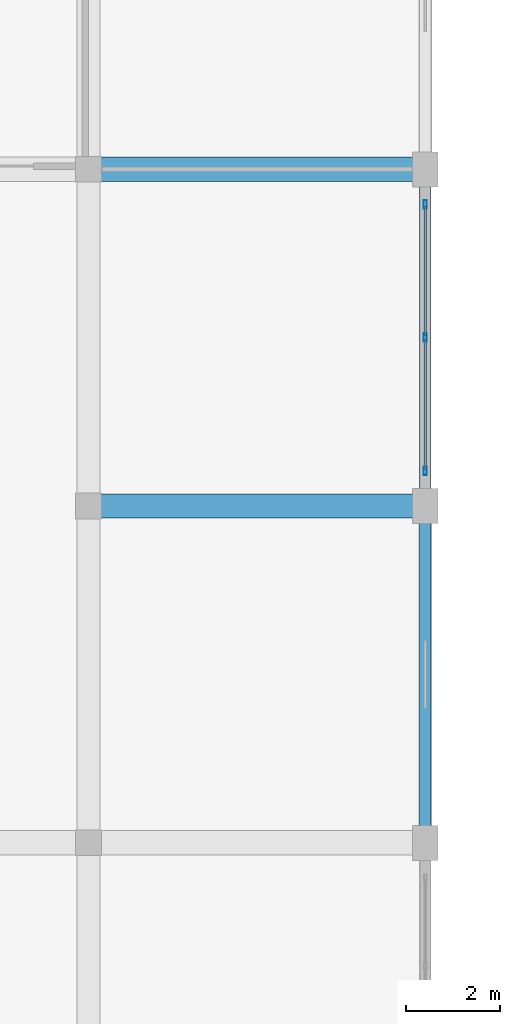
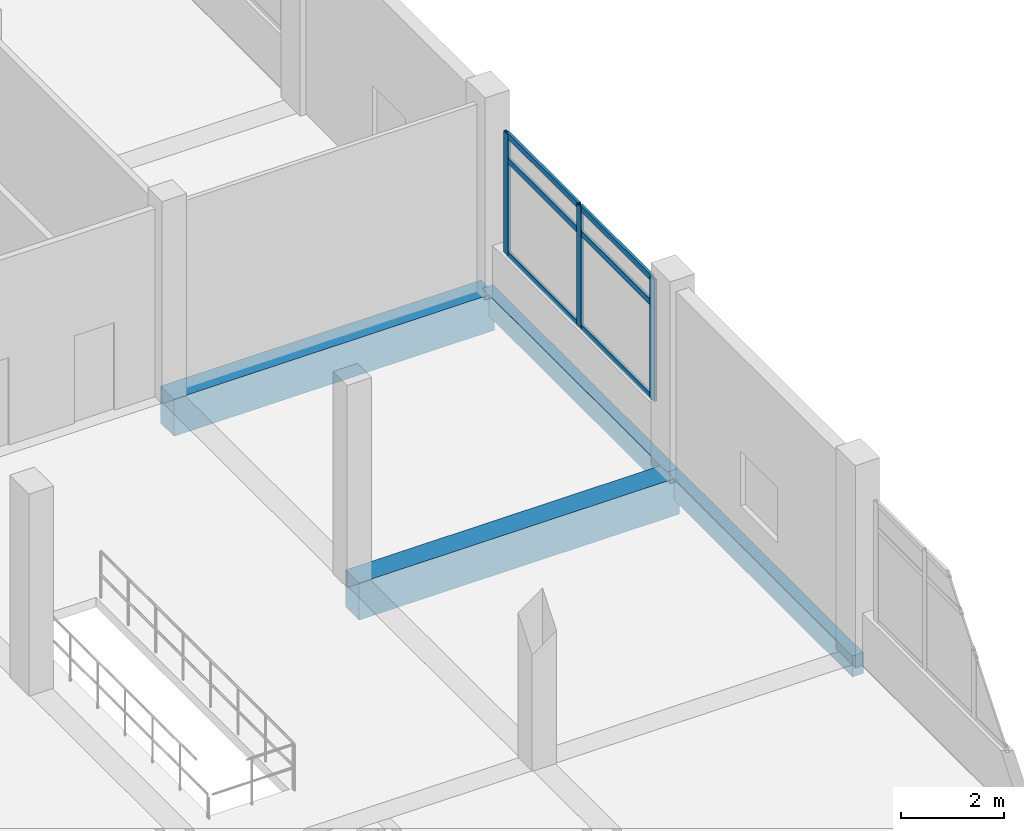
# One storey, part 88 of 140: 9 members, 4 beams, 1 element without a shape of its own.
"""IFC4 building model written with IfcOpenShell, lengths in metres."""

from ifc_helpers import new_model, si_unit, direction, frame, origin, origin_2d, place, context, subcontext, project, spatial, rectangle, hollow_rectangle, extrude, material, layer, layer_set, material_profile, profile_set, type_object, element, aggregate, save


model = new_model("IFC4")

# Units and contexts
model_context = context("Model", 3, precision=1e-05, world=origin(), true_north=direction((0.0, 1.0)))
body_context = subcontext(model_context, "Body", "Model", "MODEL_VIEW")
ifc_project = project(units=[si_unit("LENGTHUNIT", "METRE"), si_unit("AREAUNIT", "SQUARE_METRE"), si_unit("VOLUMEUNIT", "CUBIC_METRE"), si_unit("PLANEANGLEUNIT", "RADIAN"), si_unit("MASSUNIT", "GRAM", prefix="KILO")], contexts=[model_context])

# Site, building, storey
site_placement = place(None, origin())
site = spatial("IfcSite", under=ifc_project, at=site_placement, CompositionType="ELEMENT")
building_placement = place(site_placement, origin())
building = spatial("IfcBuilding", under=site, at=building_placement, Name="Seraya Terrace Polytechnic", CompositionType="ELEMENT")
storey_placement = place(building_placement, frame((0.0, 0.0, 9.60009765625)))
storey = spatial("IfcBuildingStorey", under=building, at=storey_placement, Name="L02", CompositionType="ELEMENT", Elevation=9.60009765625)

# Beams
ifc_material_1 = material(Name="Concrete C40/50", Category="concrete")
ifc_material_profile_1 = material_profile(ifc_material_1, rectangle(XDim=0.52001953125, YDim=0.8798828125, at=origin_2d()), Name="RC 520x880")
ifc_profile_set_1 = profile_set([ifc_material_profile_1], Name="Concrete C40/50")
beam_type_1 = type_object("IfcBeamType", Name="BM-04", PredefinedType="BEAM", material=ifc_profile_set_1)
for number, where, z_axis, x_axis, name in (
    (1, (158.39990234375, 14.39990234375, -0.440185546875), (1.0, 0.0, 0.0), (0.0, 1.0, 0.0), "Beam BM-04 L02 X (158.4..165.6, 14.4)"),
    (2, (158.39990234375, 21.60009765625, -0.440185546875), (1.0, 0.0, 0.0), (0.0, 1.0, 0.0), "Beam BM-04 L02 X (158.4..165.6, 21.6)"),
):
    element("IfcBeam", number, at=place(storey_placement, frame(where, z_axis=z_axis, x_axis=x_axis)), inside=storey, type_object=beam_type_1, Name=name, PredefinedType="BEAM", context=body_context, shape_type="SweptSolid", body=[
        extrude(rectangle(XDim=0.52001953125, YDim=0.8798828125, at=origin_2d()), origin(), (0.0, 0.0, 1.0), 7.2001953125),
    ])

# Curtain wall, members
ifc_material_2 = material(Name="Anodised aluminium EN AW-6063 T6", Category="aluminium")
ifc_layer = layer(ifc_material_2, 0.179931640625, Name="CW-31")
ifc_layer_set = layer_set([ifc_layer], Name="Anodised aluminium EN AW-6063 T6")
curtain_wall_type = type_object("IfcCurtainWallType", Name="CW-31", PredefinedType="NOTDEFINED", material=ifc_layer_set)
curtain_wall_placement = place(storey_placement, origin())
curtain_wall = element("IfcCurtainWall", 3, at=curtain_wall_placement, inside=storey, type_object=curtain_wall_type, Name="Unitised curtain wall CW-31 (CW-L02-067)", PredefinedType="NOTDEFINED")
ifc_material_profile_2 = material_profile(ifc_material_2, hollow_rectangle(XDim=0.06494140625, YDim=0.179931640625, WallThickness=0.00390625, at=origin_2d()), Name="RHS 180x65x4.0")
ifc_profile_set_2 = profile_set([ifc_material_profile_2], Name="Anodised aluminium EN AW-6063 T6")
member_type_1 = type_object("IfcMemberType", Name="CWM-01", PredefinedType="MULLION", material=ifc_profile_set_2)
member_1_placement = place(storey_placement, frame((165.60009765625, 20.847412109375, 1.239990234375), z_axis=(0.0, 0.0, 1.0), x_axis=(1.0, 0.0, 0.0)))
member_1 = element("IfcMember", 4, at=member_1_placement, type_object=member_type_1, Name="CW-31 mullion 1", PredefinedType="MULLION", context=body_context, shape_type="SweptSolid", body=[
    extrude(hollow_rectangle(XDim=0.06494140625, YDim=0.179931640625, WallThickness=0.00390625, at=origin_2d()), origin(), (0.0, 0.0, 1.0), 2.8798828125),
])
member_2_placement = place(storey_placement, frame((165.60009765625, 18.0, 1.239990234375), z_axis=(0.0, 0.0, 1.0), x_axis=(1.0, 0.0, 0.0)))
member_2 = element("IfcMember", 5, at=member_2_placement, type_object=member_type_1, Name="CW-31 mullion 2", PredefinedType="MULLION", context=body_context, shape_type="SweptSolid", body=[
    extrude(hollow_rectangle(XDim=0.06494140625, YDim=0.179931640625, WallThickness=0.00390625, at=origin_2d()), origin(), (0.0, 0.0, 1.0), 2.8798828125),
])
member_3_placement = place(storey_placement, frame((165.60009765625, 15.152587890625, 1.239990234375), z_axis=(0.0, 0.0, 1.0), x_axis=(1.0, 0.0, 0.0)))
member_3 = element("IfcMember", 6, at=member_3_placement, type_object=member_type_1, Name="CW-31 mullion 3", PredefinedType="MULLION", context=body_context, shape_type="SweptSolid", body=[
    extrude(hollow_rectangle(XDim=0.06494140625, YDim=0.179931640625, WallThickness=0.00390625, at=origin_2d()), origin(), (0.0, 0.0, 1.0), 2.8798828125),
])
ifc_material_profile_3 = material_profile(ifc_material_2, hollow_rectangle(XDim=0.06005859375, YDim=0.139892578125, WallThickness=0.00341796875, at=origin_2d()), Name="RHS 140x60x3.5")
ifc_profile_set_3 = profile_set([ifc_material_profile_3], Name="Anodised aluminium EN AW-6063 T6")
member_type_2 = type_object("IfcMemberType", Name="CWT-01", PredefinedType="USERDEFINED", material=ifc_profile_set_3)
member_4_placement = place(storey_placement, frame((165.60009765625, 20.81494140625, 1.27001953125), z_axis=(0.0, -1.0, 0.0), x_axis=(1.0, 0.0, 0.0)))
member_4 = element("IfcMember", 7, at=member_4_placement, type_object=member_type_2, Name="CW-31 transom 1.1", ObjectType="TRANSOM", PredefinedType="USERDEFINED", context=body_context, shape_type="SweptSolid", body=[
    extrude(hollow_rectangle(XDim=0.06005859375, YDim=0.139892578125, WallThickness=0.00341796875, at=origin_2d()), origin(), (0.0, 0.0, 1.0), 2.782470703125),
])
member_5_placement = place(storey_placement, frame((165.60009765625, 20.81494140625, 3.5), z_axis=(0.0, -1.0, 0.0), x_axis=(1.0, 0.0, 0.0)))
member_5 = element("IfcMember", 8, at=member_5_placement, type_object=member_type_2, Name="CW-31 transom 1.2", ObjectType="TRANSOM", PredefinedType="USERDEFINED", context=body_context, shape_type="SweptSolid", body=[
    extrude(hollow_rectangle(XDim=0.06005859375, YDim=0.139892578125, WallThickness=0.00341796875, at=origin_2d()), origin(), (0.0, 0.0, 1.0), 2.782470703125),
])
member_6_placement = place(storey_placement, frame((165.60009765625, 20.81494140625, 4.08984375), z_axis=(0.0, -1.0, 0.0), x_axis=(1.0, 0.0, 0.0)))
member_6 = element("IfcMember", 9, at=member_6_placement, type_object=member_type_2, Name="CW-31 transom 1.3", ObjectType="TRANSOM", PredefinedType="USERDEFINED", context=body_context, shape_type="SweptSolid", body=[
    extrude(hollow_rectangle(XDim=0.06005859375, YDim=0.139892578125, WallThickness=0.00341796875, at=origin_2d()), origin(), (0.0, 0.0, 1.0), 2.782470703125),
])
member_7_placement = place(storey_placement, frame((165.60009765625, 17.967529296875, 1.27001953125), z_axis=(0.0, -1.0, 0.0), x_axis=(1.0, 0.0, 0.0)))
member_7 = element("IfcMember", 10, at=member_7_placement, type_object=member_type_2, Name="CW-31 transom 2.1", ObjectType="TRANSOM", PredefinedType="USERDEFINED", context=body_context, shape_type="SweptSolid", body=[
    extrude(hollow_rectangle(XDim=0.06005859375, YDim=0.139892578125, WallThickness=0.00341796875, at=origin_2d()), origin(), (0.0, 0.0, 1.0), 2.782470703125),
])
member_8_placement = place(storey_placement, frame((165.60009765625, 17.967529296875, 3.5), z_axis=(0.0, -1.0, 0.0), x_axis=(1.0, 0.0, 0.0)))
member_8 = element("IfcMember", 11, at=member_8_placement, type_object=member_type_2, Name="CW-31 transom 2.2", ObjectType="TRANSOM", PredefinedType="USERDEFINED", context=body_context, shape_type="SweptSolid", body=[
    extrude(hollow_rectangle(XDim=0.06005859375, YDim=0.139892578125, WallThickness=0.00341796875, at=origin_2d()), origin(), (0.0, 0.0, 1.0), 2.782470703125),
])
member_9_placement = place(storey_placement, frame((165.60009765625, 17.967529296875, 4.08984375), z_axis=(0.0, -1.0, 0.0), x_axis=(1.0, 0.0, 0.0)))
member_9 = element("IfcMember", 12, at=member_9_placement, type_object=member_type_2, Name="CW-31 transom 2.3", ObjectType="TRANSOM", PredefinedType="USERDEFINED", context=body_context, shape_type="SweptSolid", body=[
    extrude(hollow_rectangle(XDim=0.06005859375, YDim=0.139892578125, WallThickness=0.00341796875, at=origin_2d()), origin(), (0.0, 0.0, 1.0), 2.782470703125),
])
aggregate(curtain_wall, [member_1, member_2, member_3, member_4, member_5, member_6, member_7, member_8, member_9])

# Beams
ifc_material_profile_4 = material_profile(ifc_material_1, rectangle(XDim=0.25, YDim=0.5, at=origin_2d()), Name="RC 250x500")
ifc_profile_set_4 = profile_set([ifc_material_profile_4], Name="Concrete C40/50")
beam_type_2 = type_object("IfcBeamType", Name="SP-03", PredefinedType="SPANDREL", material=ifc_profile_set_4)
beam_1_placement = place(storey_placement, frame((165.60009765625, 7.199951171875, -0.25), z_axis=(0.0, 1.0, 0.0), x_axis=(-1.0, 0.0, 0.0)))
element("IfcBeam", 13, at=beam_1_placement, inside=storey, type_object=beam_type_2, Name="Beam SP-03 L02 Y (165.6, 7.2..14.4)", PredefinedType="SPANDREL", context=body_context, shape_type="SweptSolid", body=[
    extrude(rectangle(XDim=0.25, YDim=0.5, at=origin_2d()), origin(), (0.0, 0.0, 1.0), 7.199951171875),
])
beam_2_placement = place(storey_placement, frame((165.60009765625, 14.39990234375, -0.25), z_axis=(0.0, 1.0, 0.0), x_axis=(-1.0, 0.0, 0.0)))
element("IfcBeam", 14, at=beam_2_placement, inside=storey, type_object=beam_type_2, Name="Beam SP-03 L02 Y (165.6, 14.4..21.6)", PredefinedType="SPANDREL", context=body_context, shape_type="SweptSolid", body=[
    extrude(rectangle(XDim=0.25, YDim=0.5, at=origin_2d()), origin(), (0.0, 0.0, 1.0), 7.2001953125),
])

save(model, "model.ifc")
